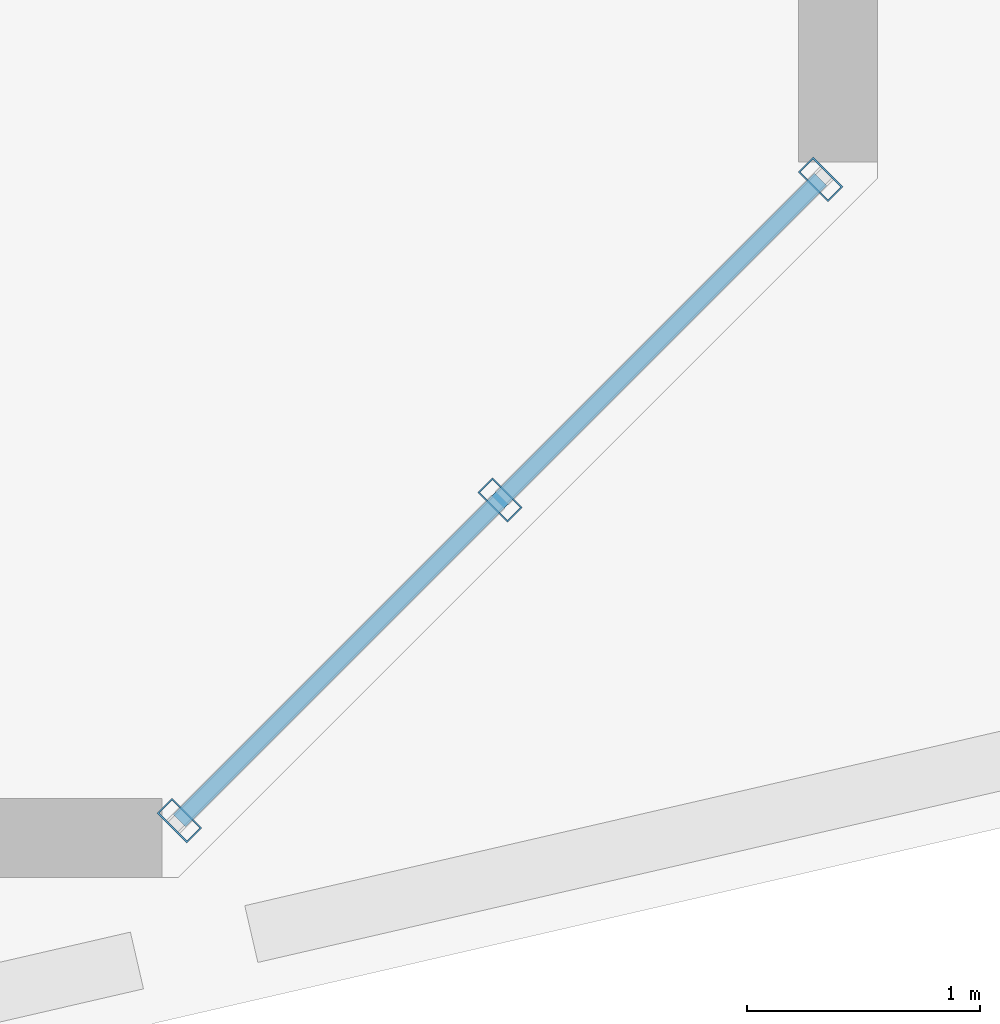
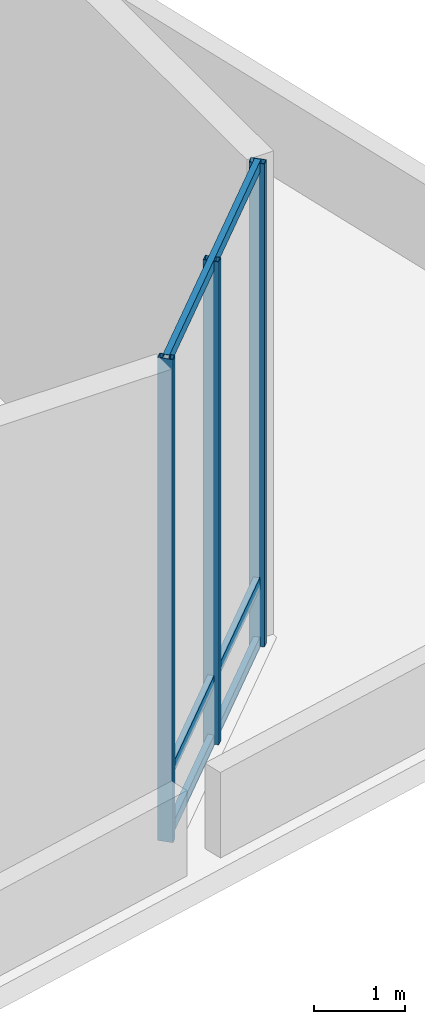
# One storey, part 9 of 25: 6 members, 1 element without a shape of its own.
"""IFC4 building model written with IfcOpenShell, lengths in metres."""

from ifc_helpers import new_model, si_unit, direction, frame, origin, origin_2d, place, context, subcontext, project, spatial, hollow_rectangle, extrude, material, layer, layer_set, material_profile, profile_set, type_object, element, aggregate, save


model = new_model("IFC4")

# Units and contexts
model_context = context("Model", 3, precision=1e-05, world=origin(), true_north=direction((0.0, 1.0)))
body_context = subcontext(model_context, "Body", "Model", "MODEL_VIEW")
ifc_project = project(units=[si_unit("LENGTHUNIT", "METRE"), si_unit("AREAUNIT", "SQUARE_METRE"), si_unit("VOLUMEUNIT", "CUBIC_METRE"), si_unit("PLANEANGLEUNIT", "RADIAN"), si_unit("MASSUNIT", "GRAM", prefix="KILO")], contexts=[model_context])

# Site, building, storey
site_placement = place(None, origin())
site = spatial("IfcSite", under=ifc_project, at=site_placement, CompositionType="ELEMENT")
building_placement = place(site_placement, origin())
building = spatial("IfcBuilding", under=site, at=building_placement, Name="Tavrogorsk Clinical Tower", CompositionType="ELEMENT")
storey_placement = place(building_placement, frame((0.0, 0.0, 333.0)))
storey = spatial("IfcBuildingStorey", under=building, at=storey_placement, Name="L78", CompositionType="ELEMENT", Elevation=333.0)

# Curtain wall, members
ifc_material_1 = material(Name="Anodised aluminium and triple IGU glazing", Category="aluminium")
ifc_layer = layer(ifc_material_1, 0.179931640625)
ifc_layer_set = layer_set([ifc_layer], Name="Anodised aluminium and triple IGU glazing")
curtain_wall_type = type_object("IfcCurtainWallType", Name="CW6_TmdLantern", PredefinedType="NOTDEFINED", material=ifc_layer_set)
curtain_wall_placement = place(storey_placement, origin())
curtain_wall = element("IfcCurtainWall", 1, at=curtain_wall_placement, inside=storey, type_object=curtain_wall_type, Name="L78 Curtain Wall CW-L78-TMD-7", PredefinedType="NOTDEFINED")
ifc_material_2 = material(Name="Anodised aluminium alloy AW-6060", Category="aluminium")
ifc_material_profile_1 = material_profile(ifc_material_2, hollow_rectangle(XDim=0.090087890625, YDim=0.179931640625, WallThickness=0.00634765625, at=origin_2d()), Name="RHS-180x90x6.3")
ifc_profile_set_1 = profile_set([ifc_material_profile_1], Name="Anodised aluminium alloy AW-6060")
member_type_1 = type_object("IfcMemberType", Name="CwMullion_180x90", PredefinedType="MULLION", material=ifc_profile_set_1)
member_1_placement = place(storey_placement, frame((26.755859375, -15.40380859375, 0.0), z_axis=(0.0, 0.0, 1.0), x_axis=(-0.707106781187, -0.707106781187, 0.0)))
member_1 = element("IfcMember", 2, at=member_1_placement, type_object=member_type_1, Name="CW-L78-TMD-7 Mullion 1", PredefinedType="MULLION", context=body_context, shape_type="SweptSolid", body=[
    extrude(hollow_rectangle(XDim=0.090087890625, YDim=0.179931640625, WallThickness=0.00634765625, at=origin_2d()), origin(), (0.0, 0.0, 1.0), 6.5),
])
member_2_placement = place(storey_placement, frame((25.3798828125, -16.77978515625, 0.0), z_axis=(0.0, 0.0, 1.0), x_axis=(-0.707106781187, -0.707106781187, 0.0)))
member_2 = element("IfcMember", 3, at=member_2_placement, type_object=member_type_1, Name="CW-L78-TMD-7 Mullion 2", PredefinedType="MULLION", context=body_context, shape_type="SweptSolid", body=[
    extrude(hollow_rectangle(XDim=0.090087890625, YDim=0.179931640625, WallThickness=0.00634765625, at=origin_2d()), origin(), (0.0, 0.0, 1.0), 6.5),
])
member_3_placement = place(storey_placement, frame((24.00390625, -18.15576171875, 0.0), z_axis=(0.0, 0.0, 1.0), x_axis=(-0.707106781187, -0.707106781187, 0.0)))
member_3 = element("IfcMember", 4, at=member_3_placement, type_object=member_type_1, Name="CW-L78-TMD-7 Mullion 3", PredefinedType="MULLION", context=body_context, shape_type="SweptSolid", body=[
    extrude(hollow_rectangle(XDim=0.090087890625, YDim=0.179931640625, WallThickness=0.00634765625, at=origin_2d()), origin(), (0.0, 0.0, 1.0), 6.5),
])
ifc_material_3 = material(Name="Anodised aluminium alloy AW-6060", Category="aluminium")
ifc_material_profile_2 = material_profile(ifc_material_3, hollow_rectangle(XDim=0.074951171875, YDim=0.14990234375, WallThickness=0.0048828125, at=origin_2d()), Name="RHS-150x75x5")
ifc_profile_set_2 = profile_set([ifc_material_profile_2], Name="Anodised aluminium alloy AW-6060")
member_type_2 = type_object("IfcMemberType", Name="CwTransom_150x75", PredefinedType="USERDEFINED", material=ifc_profile_set_2)
member_4_placement = place(storey_placement, frame((26.755859375, -15.40380859375, 0.050048828125), z_axis=(-0.707106781187, -0.707106781187, 0.0), x_axis=(0.707106781187, -0.707106781187, 0.0)))
member_4 = element("IfcMember", 5, at=member_4_placement, type_object=member_type_2, Name="CW-L78-TMD-7 Transom 1", ObjectType="TRANSOM", PredefinedType="USERDEFINED", context=body_context, shape_type="SweptSolid", body=[
    extrude(hollow_rectangle(XDim=0.074951171875, YDim=0.14990234375, WallThickness=0.0048828125, at=origin_2d()), origin(), (0.0, 0.0, 1.0), 3.891845703125),
])
member_5_placement = place(storey_placement, frame((26.755859375, -15.40380859375, 0.85009765625), z_axis=(-0.707106781187, -0.707106781187, 0.0), x_axis=(0.707106781187, -0.707106781187, 0.0)))
member_5 = element("IfcMember", 6, at=member_5_placement, type_object=member_type_2, Name="CW-L78-TMD-7 Transom 2", ObjectType="TRANSOM", PredefinedType="USERDEFINED", context=body_context, shape_type="SweptSolid", body=[
    extrude(hollow_rectangle(XDim=0.074951171875, YDim=0.14990234375, WallThickness=0.0048828125, at=origin_2d()), origin(), (0.0, 0.0, 1.0), 3.891845703125),
])
member_6_placement = place(storey_placement, frame((26.755859375, -15.40380859375, 6.449951171875), z_axis=(-0.707106781187, -0.707106781187, 0.0), x_axis=(0.707106781187, -0.707106781187, 0.0)))
member_6 = element("IfcMember", 7, at=member_6_placement, type_object=member_type_2, Name="CW-L78-TMD-7 Transom 3", ObjectType="TRANSOM", PredefinedType="USERDEFINED", context=body_context, shape_type="SweptSolid", body=[
    extrude(hollow_rectangle(XDim=0.074951171875, YDim=0.14990234375, WallThickness=0.0048828125, at=origin_2d()), origin(), (0.0, 0.0, 1.0), 3.891845703125),
])
aggregate(curtain_wall, [member_1, member_2, member_3, member_4, member_5, member_6])

save(model, "model.ifc")
